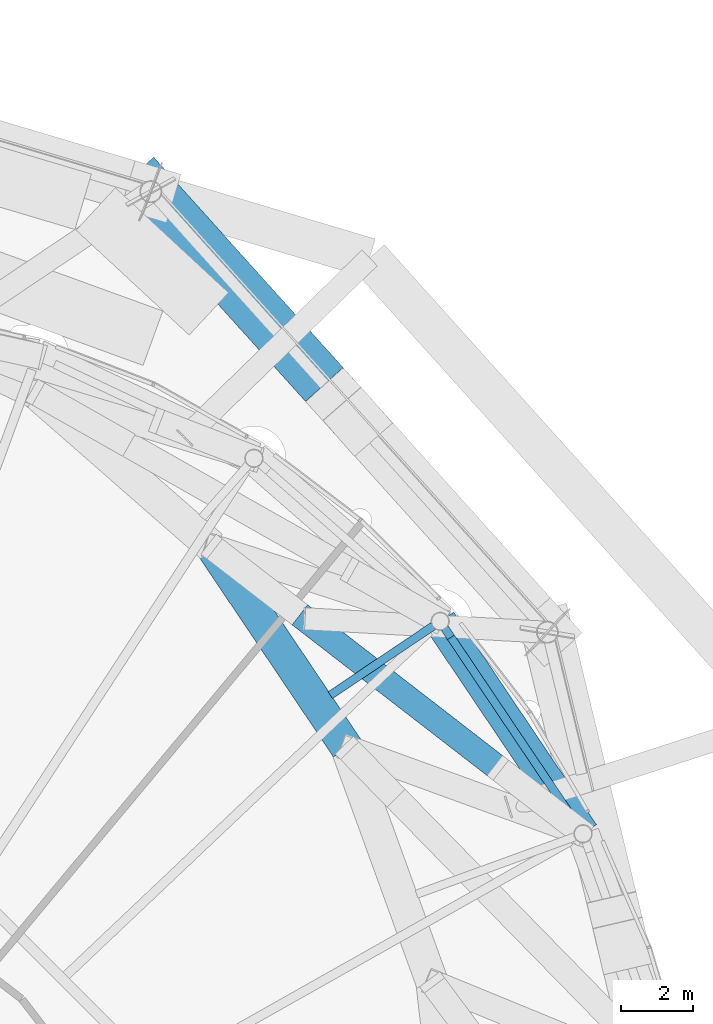
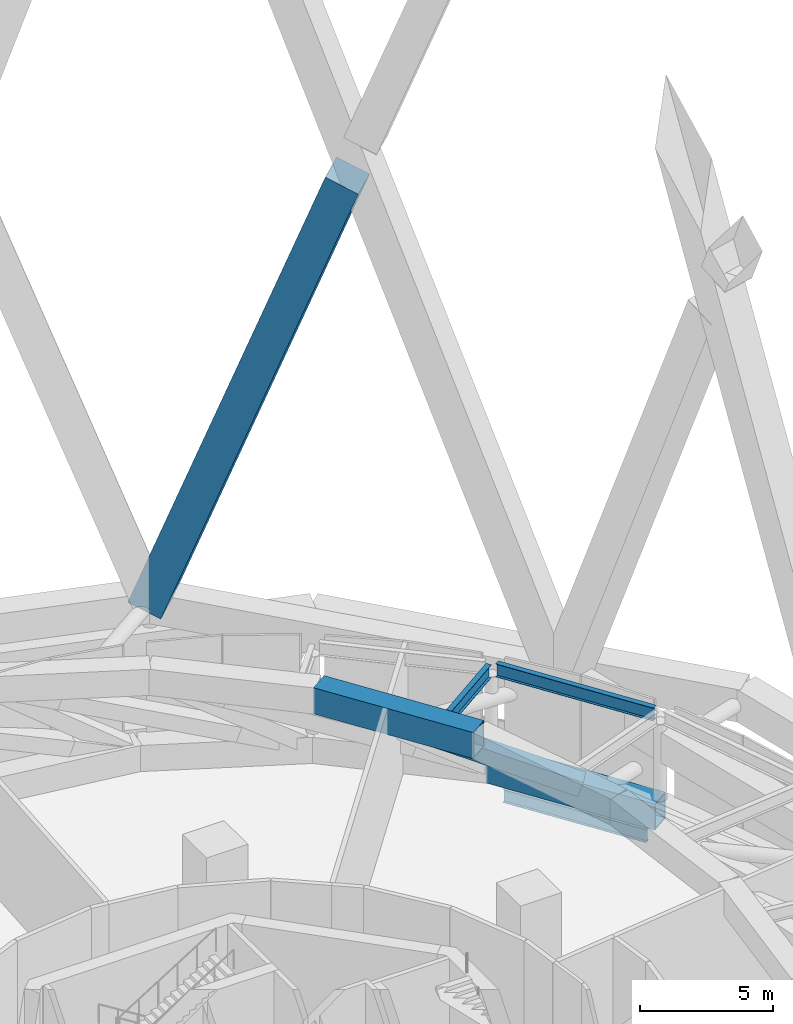
# One storey, part 43 of 60: 6 beams, 1 member.
"""IFC4 building model written with IfcOpenShell, lengths in metres."""

import ifcopenshell
import ifcopenshell.guid

model = None  # the IFC model being written
_history = None  # IfcOwnerHistory: only IFC2X3 demands one
_inside = {}  # id of a spatial element -> (the spatial element, [elements in it])
_under = {}  # id of a project, library or spatial element -> (it, [spatial elements below it])
_declared = {}  # id of a project -> (the project, [libraries it declares])
_typed = {}  # id of a type object -> (the type object, [elements of that type])
_made_of = {}  # id of a material, layer set ... -> (it, [elements and type objects made of it])


def new_model(schema):
    """Start an empty IFC model of exactly this schema.

    Asked for "IFC4X3", IfcOpenShell would pick the latest addendum, in which some entities
    have other attributes; the version numbers below select the first issue.
    IFC2X3 requires an IfcOwnerHistory on every rooted entity: one is made here for all.
    """
    global model, _history
    if schema == "IFC4X3":
        model = ifcopenshell.file(schema_version=(4, 3, 0, 0))
    else:
        model = ifcopenshell.file(schema=schema)
    _inside.clear()
    _under.clear()
    _declared.clear()
    _typed.clear()
    _made_of.clear()
    _history = None
    if model.schema == "IFC2X3":
        org = make("IfcOrganization", Name="unknown")
        user = make(
            "IfcPersonAndOrganization",
            ThePerson=make("IfcPerson", FamilyName="unknown"),
            TheOrganization=org,
        )
        app = make(
            "IfcApplication",
            ApplicationDeveloper=org,
            Version="unknown",
            ApplicationFullName="unknown",
            ApplicationIdentifier="unknown",
        )
        _history = make(
            "IfcOwnerHistory",
            OwningUser=user,
            OwningApplication=app,
            ChangeAction="ADDED",
            CreationDate=0,
        )
    return model


def make(cls, **values):
    """One entity of the class cls with the attributes given. An attribute that is None is left unset."""
    return model.create_entity(
        cls, **{name: value for name, value in values.items() if value is not None}
    )


def rooted(cls, **values):
    """An entity with a GlobalId (a new one), such as an element, a storey or a relation."""
    return make(cls, GlobalId=ifcopenshell.guid.new(), OwnerHistory=_history, **values)


def si_unit(unit_type, name, prefix=None):
    """IfcSIUnit, for example si_unit("LENGTHUNIT", "METRE", prefix="MILLI")."""
    return make("IfcSIUnit", UnitType=unit_type, Prefix=prefix, Name=name)


def assignment(units):
    """IfcUnitAssignment: the units of a project."""
    return None if units is None else make("IfcUnitAssignment", Units=units)


def point(xyz):
    """IfcCartesianPoint."""
    return None if xyz is None else make("IfcCartesianPoint", Coordinates=xyz)


def direction(xyz):
    """IfcDirection."""
    return None if xyz is None else make("IfcDirection", DirectionRatios=xyz)


def frame(location, z_axis=None, x_axis=None):
    """IfcAxis2Placement3D, a coordinate frame: its origin and axes. An axis left out is left unset."""
    return make(
        "IfcAxis2Placement3D",
        Location=point(location),
        Axis=direction(z_axis),
        RefDirection=direction(x_axis),
    )


def frame_2d(location, x_axis=None):
    """IfcAxis2Placement2D, a coordinate frame in the plane: its origin and x axis."""
    return make(
        "IfcAxis2Placement2D", Location=point(location), RefDirection=direction(x_axis)
    )


def origin():
    """The frame at (0, 0, 0) with its axes left unset."""
    return frame((0.0, 0.0, 0.0))


def origin_2d():
    """The frame at (0, 0) in the plane with its x axis left unset."""
    return frame_2d((0.0, 0.0))


def place(relative_to, where):
    """IfcLocalPlacement: puts the frame where relative to a parent placement (None: the world)."""
    return make(
        "IfcLocalPlacement", PlacementRelTo=relative_to, RelativePlacement=where
    )


def context(
    kind, dimensions, precision=None, world=None, true_north=None, identifier=None
):
    """IfcGeometricRepresentationContext, for example the 3D "Model" context."""
    return make(
        "IfcGeometricRepresentationContext",
        ContextIdentifier=identifier,
        ContextType=kind,
        CoordinateSpaceDimension=dimensions,
        Precision=precision,
        WorldCoordinateSystem=world,
        TrueNorth=true_north,
    )


def subcontext(parent, identifier, kind, view, scale=None):
    """IfcGeometricRepresentationSubContext, for example "Body" below "Model"."""
    return make(
        "IfcGeometricRepresentationSubContext",
        ContextIdentifier=identifier,
        ContextType=kind,
        ParentContext=parent,
        TargetScale=scale,
        TargetView=view,
    )


def project(units=None, contexts=None):
    """IfcProject with its units and contexts."""
    return rooted(
        "IfcProject",
        Name="project",
        RepresentationContexts=contexts,
        UnitsInContext=assignment(units),
    )


def spatial(cls, under=None, at=None, **own):
    """A site, building, storey or space (cls), placed at a placement, below another one or the project."""
    s = rooted(cls, ObjectPlacement=at, **own)
    if under is not None:
        _under.setdefault(under.id(), (under, []))[1].append(s)
    return s


def profile(cls, at=None, kind="AREA", **sizes):
    """A parametric profile (cls). Its sizes go by their IFC names, for example OverallWidth=200.0."""
    return make(cls, ProfileType=kind, Position=at, **sizes)


def rectangle(**sizes):
    """IfcRectangleProfileDef."""
    return profile("IfcRectangleProfileDef", **sizes)


def hollow_rectangle(**sizes):
    """IfcRectangleHollowProfileDef."""
    return profile("IfcRectangleHollowProfileDef", **sizes)


def i_section(**sizes):
    """IfcIShapeProfileDef."""
    return profile("IfcIShapeProfileDef", **sizes)


def extrude(swept, where, along, depth):
    """IfcExtrudedAreaSolid: the profile swept, set in the frame where, extruded along a direction by depth."""
    return make(
        "IfcExtrudedAreaSolid",
        SweptArea=swept,
        Position=where,
        ExtrudedDirection=direction(along),
        Depth=depth,
    )


def shape(context_of_items, identifier, shape_type, items):
    """IfcShapeRepresentation: the items that make up one representation, for example the "Body"."""
    return make(
        "IfcShapeRepresentation",
        ContextOfItems=context_of_items,
        RepresentationIdentifier=identifier,
        RepresentationType=shape_type,
        Items=items,
    )


def material(Name=None, Category=None):
    """IfcMaterial."""
    return make("IfcMaterial", Name=Name, Category=Category)


def material_profile(
    of_material, cross_section, Name=None, Category=None, Priority=None
):
    """IfcMaterialProfile: a cross section and its material."""
    return make(
        "IfcMaterialProfile",
        Name=Name,
        Material=of_material,
        Profile=cross_section,
        Priority=Priority,
        Category=Category,
    )


def profile_set(profiles, Name=None, composite=None):
    """IfcMaterialProfileSet."""
    return make(
        "IfcMaterialProfileSet",
        Name=Name,
        MaterialProfiles=profiles,
        CompositeProfile=composite,
    )


def made_of(thing, what):
    """Note that an element or type object is made of a material, layer set ...; save() writes the relation."""
    if what is not None:
        _made_of.setdefault(what.id(), (what, []))[1].append(thing)
    return thing


def type_object(cls, material=None, **own):
    """A type object (cls), such as IfcWallType, which elements share."""
    return made_of(rooted(cls, **own), material)


def element(
    cls,
    number,
    at=None,
    inside=None,
    cuts=None,
    type_object=None,
    material=None,
    context=None,
    identifier="Body",
    shape_type=None,
    held_by="IfcProductDefinitionShape",
    body=None,
    shapes=None,
    **own,
):
    """One element of the class cls, such as IfcWall. Its Tag is "e" and its number.

    at: its placement. inside: the storey or other place that contains it. cuts: it is an
    opening in that element (IfcRelVoidsElement). A single representation is given by context,
    identifier, shape_type and body (its items); several are given by shapes. held_by: the class
    of the entity that holds the representations. save() writes the other relations.
    """
    e = rooted(cls, Tag="e%d" % number, ObjectPlacement=at, **own)
    if body is not None:
        shapes = [shape(context, identifier, shape_type, body)]
    if shapes is not None:
        e.Representation = make(held_by, Representations=shapes)
    if inside is not None:
        _inside.setdefault(inside.id(), (inside, []))[1].append(e)
    if cuts is not None:
        rooted(
            "IfcRelVoidsElement", RelatingBuildingElement=cuts, RelatedOpeningElement=e
        )
    if type_object is not None:
        _typed.setdefault(type_object.id(), (type_object, []))[1].append(e)
    return made_of(e, material)


def aggregate(whole, parts):
    """IfcRelAggregates: a whole, such as a stair, and the parts it consists of."""
    return rooted("IfcRelAggregates", RelatingObject=whole, RelatedObjects=parts)


def save(model, path):
    """Write the relations noted so far, then the file.

    IfcRelAggregates (storeys below a building ...), IfcRelContainedInSpatialStructure (elements
    in a storey), IfcRelDefinesByType, IfcRelAssociatesMaterial and IfcRelDeclares: one each for
    every whole, place, type object, material and project.
    """
    for whole, parts in _under.values():
        aggregate(whole, parts)
    for where, things in _inside.values():
        rooted(
            "IfcRelContainedInSpatialStructure",
            RelatedElements=things,
            RelatingStructure=where,
        )
    for kind, things in _typed.values():
        rooted("IfcRelDefinesByType", RelatedObjects=things, RelatingType=kind)
    for what, things in _made_of.values():
        rooted("IfcRelAssociatesMaterial", RelatedObjects=things, RelatingMaterial=what)
    for by, libraries in _declared.values():
        rooted("IfcRelDeclares", RelatingContext=by, RelatedDefinitions=libraries)
    model.write(path)


model = new_model("IFC4")

# Units and contexts
model_context = context("Model", 3, precision=1e-05, world=origin(), true_north=direction((0.0, 1.0)))
body_context = subcontext(model_context, "Body", "Model", "MODEL_VIEW")
ifc_project = project(units=[si_unit("LENGTHUNIT", "METRE"), si_unit("AREAUNIT", "SQUARE_METRE"), si_unit("VOLUMEUNIT", "CUBIC_METRE"), si_unit("PLANEANGLEUNIT", "RADIAN"), si_unit("MASSUNIT", "GRAM", prefix="KILO")], contexts=[model_context])

# Site, building, storey
site_placement = place(None, origin())
site = spatial("IfcSite", under=ifc_project, at=site_placement, CompositionType="ELEMENT")
building_placement = place(site_placement, origin())
building = spatial("IfcBuilding", under=site, at=building_placement, Name="Nagisa Residences", CompositionType="ELEMENT")
storey_placement = place(building_placement, frame((0.0, 0.0, 206.60009765625)))
storey = spatial("IfcBuildingStorey", under=building, at=storey_placement, Name="L52", CompositionType="ELEMENT", Elevation=206.60009765625)

# Beams
ifc_material_1 = material(Name="Steel ASTM A572 Gr 50", Category="steel")
ifc_material_profile_1 = material_profile(ifc_material_1, hollow_rectangle(XDim=0.89990234375, YDim=1.199951171875, WallThickness=0.044921875, at=origin_2d()), Name="BX 900x1200x45")
ifc_profile_set_1 = profile_set([ifc_material_profile_1], Name="Steel ASTM A572 Gr 50")
beam_type_1 = type_object("IfcBeamType", Name="Belt chord 4 BX 900x1200x45", PredefinedType="BEAM", material=ifc_profile_set_1)
beam_1_placement = place(storey_placement, frame((25.142333984375, 14.1875, 0.599853515625), z_axis=(-0.558147783438, 0.829741557259, 0.0), x_axis=(-0.829741557259, -0.558147783438, 0.0)))
element("IfcBeam", 1, at=beam_1_placement, inside=storey, type_object=beam_type_1, Name="beam:L52:bt4b03", PredefinedType="BEAM", context=body_context, shape_type="SweptSolid", body=[
    extrude(hollow_rectangle(XDim=0.89990234375, YDim=1.199951171875, WallThickness=0.044921875, at=origin_2d()), origin(), (0.0, 0.0, 1.0), 7.08251953125),
])
beam_2_placement = place(storey_placement, frame((18.6123046875, 16.562744140625, 4.739990234375), z_axis=(-0.558112035626, 0.82976560286, 0.0), x_axis=(-0.82976560286, -0.558112035626, 0.0)))
element("IfcBeam", 2, at=beam_2_placement, inside=storey, type_object=beam_type_1, Name="beam:L52:bt4t03", PredefinedType="BEAM", context=body_context, shape_type="SweptSolid", body=[
    extrude(hollow_rectangle(XDim=0.89990234375, YDim=1.199951171875, WallThickness=0.044921875, at=origin_2d()), origin(), (0.0, 0.0, 1.0), 6.711669921875),
])
ifc_material_2 = material(Name="Steel ASTM A572 Gr 50", Category="steel")
ifc_material_profile_2 = material_profile(ifc_material_2, hollow_rectangle(XDim=0.699951171875, YDim=0.699951171875, WallThickness=0.0400390625, at=origin_2d()), Name="BX 700x700x40")
ifc_profile_set_2 = profile_set([ifc_material_profile_2], Name="Steel ASTM A572 Gr 50")
beam_type_2 = type_object("IfcBeamType", Name="Belt diagonal 4 BX 700x700x40", PredefinedType="BEAM", material=ifc_profile_set_2)
beam_3_placement = place(storey_placement, frame((22.784423828125, 16.010498046875, 1.5498046875), z_axis=(-0.753774802573, 0.582749711241, 0.303687867809), x_axis=(-0.611636330245, -0.791139051952, 0.0)))
element("IfcBeam", 3, at=beam_3_placement, inside=storey, type_object=beam_type_2, Name="beam:L52:bt4db03", PredefinedType="BEAM", context=body_context, shape_type="SweptSolid", body=[
    extrude(hollow_rectangle(XDim=0.699951171875, YDim=0.699951171875, WallThickness=0.0400390625, at=origin_2d()), origin(), (0.0, 0.0, 1.0), 7.3759765625),
])

# Member
ifc_material_3 = material(Name="Concrete C80", Category="concrete")
ifc_material_profile_3 = material_profile(ifc_material_3, rectangle(XDim=1.39990234375, YDim=1.39990234375, at=origin_2d()), Name="C80 1400x1400")
ifc_profile_set_3 = profile_set([ifc_material_profile_3], Name="Concrete C80")
member_type = type_object("IfcMemberType", Name="Cage diagonal 5 C80 1400x1400", PredefinedType="BRACE", material=ifc_profile_set_3)
member_placement = place(storey_placement, frame((13.18505859375, 31.94775390625, 3.699951171875), z_axis=(0.231313191594, -0.256941611182, 0.938336408671), x_axis=(0.743199585943, 0.669069783696, 0.0)))
element("IfcMember", 4, at=member_placement, inside=storey, type_object=member_type, Name="mem:L52:cg5d004a", PredefinedType="BRACE", context=body_context, shape_type="SweptSolid", body=[
    extrude(rectangle(XDim=1.39990234375, YDim=1.39990234375, at=origin_2d()), origin(), (0.0, 0.0, 1.0), 22.6533203125),
])

# Beams
ifc_material_4 = material(Name="Steel ASTM A572 Gr 50", Category="steel")
ifc_material_profile_4 = material_profile(ifc_material_4, i_section(OverallWidth=0.22802734375, OverallDepth=0.60302734375, WebThickness=0.010498046875, FlangeThickness=0.014892578125, at=origin_2d()), Name="W610x101")
ifc_profile_set_4 = profile_set([ifc_material_profile_4], Name="Steel ASTM A572 Gr 50")
beam_type_3 = type_object("IfcBeamType", Name="Garden edge beam W610x101", PredefinedType="BEAM", material=ifc_profile_set_4)
beam_4_placement = place(storey_placement, frame((25.01171875, 14.381591796875, 5.038330078125), z_axis=(-0.558136498416, 0.829749148319, 0.0), x_axis=(-0.829749148319, -0.558136498416, 0.0)))
element("IfcBeam", 5, at=beam_4_placement, inside=storey, type_object=beam_type_3, Name="beam:L52:bt4ge03", PredefinedType="BEAM", context=body_context, shape_type="SweptSolid", body=[
    extrude(i_section(OverallWidth=0.22802734375, OverallDepth=0.60302734375, WebThickness=0.010498046875, FlangeThickness=0.014892578125, at=origin_2d()), origin(), (0.0, 0.0, 1.0), 6.61474609375),
])
ifc_material_5 = material(Name="Steel ASTM A572 Gr 50", Category="steel")
ifc_material_profile_5 = material_profile(ifc_material_5, i_section(OverallWidth=0.22802734375, OverallDepth=0.60302734375, WebThickness=0.010498046875, FlangeThickness=0.014892578125, at=origin_2d()), Name="W610x101")
ifc_profile_set_5 = profile_set([ifc_material_profile_5], Name="Steel ASTM A572 Gr 50")
beam_type_4 = type_object("IfcBeamType", Name="Garden radial beam W610x101", PredefinedType="BEAM", material=ifc_profile_set_5)
beam_5_placement = place(storey_placement, frame((20.9951171875, 19.93359375, 5.038330078125), z_axis=(-0.829764679117, -0.558113408986, 0.0), x_axis=(0.558113408986, -0.829764679117, 0.0)))
element("IfcBeam", 6, at=beam_5_placement, inside=storey, type_object=beam_type_4, Name="beam:L52:bt4gr04", PredefinedType="BEAM", context=body_context, shape_type="SweptSolid", body=[
    extrude(i_section(OverallWidth=0.22802734375, OverallDepth=0.60302734375, WebThickness=0.010498046875, FlangeThickness=0.014892578125, at=origin_2d()), origin(), (0.0, 0.0, 1.0), 3.4287109375),
])
ifc_material_6 = material(Name="Steel ASTM A572 Gr 50", Category="steel")
ifc_material_profile_6 = material_profile(ifc_material_6, i_section(OverallWidth=0.22802734375, OverallDepth=0.60302734375, WebThickness=0.010498046875, FlangeThickness=0.014892578125, at=origin_2d()), Name="W610x101")
ifc_profile_set_6 = profile_set([ifc_material_profile_6], Name="Steel ASTM A572 Gr 50")
beam_type_5 = type_object("IfcBeamType", Name="Perimeter ring beam W610x101", PredefinedType="BEAM", material=ifc_profile_set_6)
beam_6_placement = place(storey_placement, frame((24.84423828125, 14.630615234375, -0.651611328125), z_axis=(-0.558152301307, 0.829738518177, 0.0), x_axis=(-0.829738518177, -0.558152301307, 0.0)))
element("IfcBeam", 7, at=beam_6_placement, inside=storey, type_object=beam_type_5, Name="beam:L52:pb03", PredefinedType="BEAM", context=body_context, shape_type="SweptSolid", body=[
    extrude(i_section(OverallWidth=0.22802734375, OverallDepth=0.60302734375, WebThickness=0.010498046875, FlangeThickness=0.014892578125, at=origin_2d()), origin(), (0.0, 0.0, 1.0), 6.013916015625),
])

save(model, "model.ifc")
